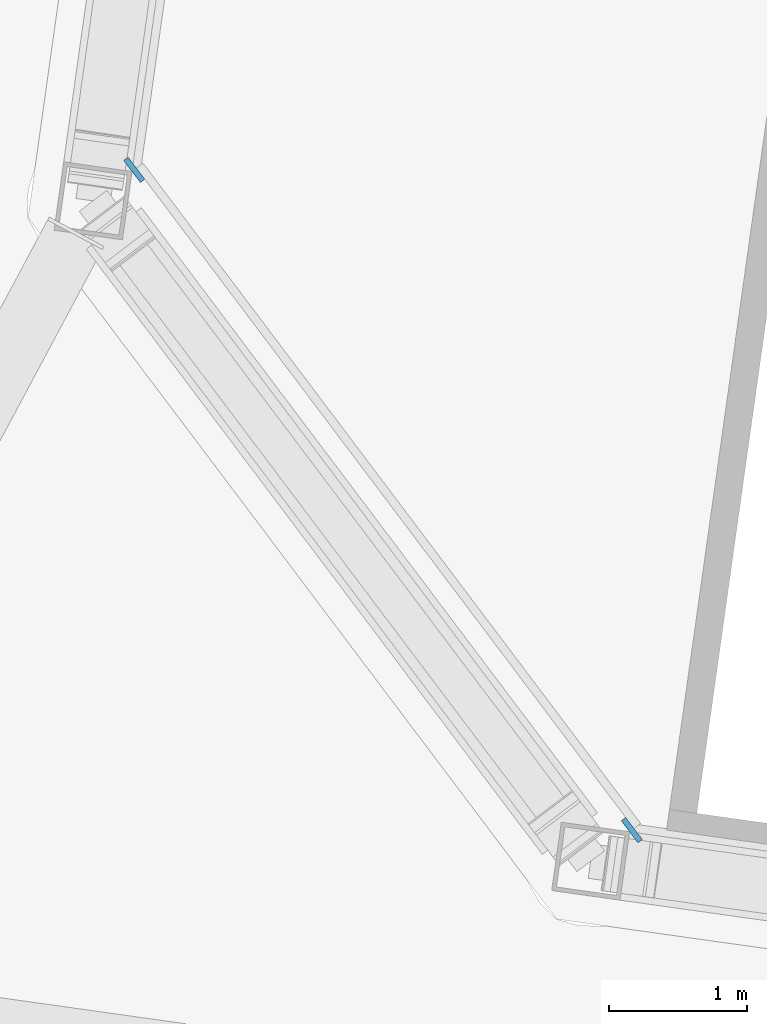
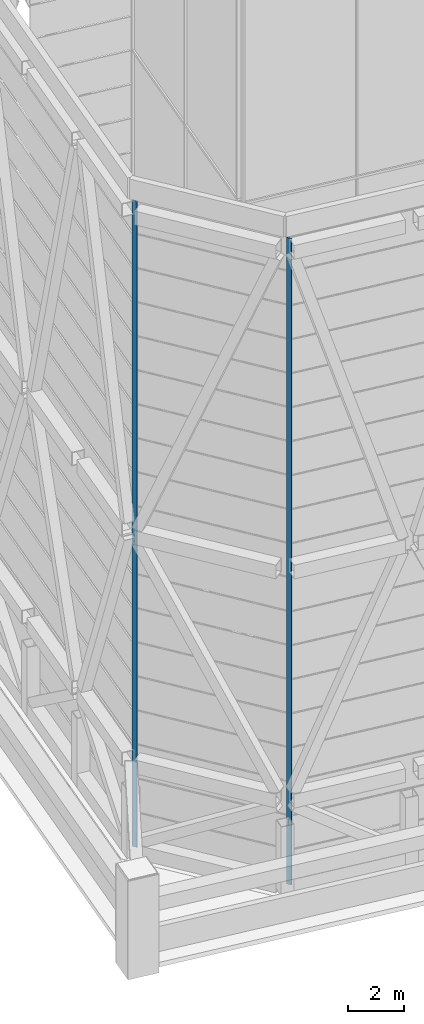
# One storey, part 22 of 45: 2 discrete accessories.
"""IFC4 building model written with IfcOpenShell, lengths in metres."""

from ifc_helpers import new_model, si_unit, direction, frame, origin, origin_2d, place, context, subcontext, project, spatial, rectangle, extrude, material, layer, layer_set, type_object, element, save


model = new_model("IFC4")

# Units and contexts
model_context = context("Model", 3, precision=1e-05, world=origin(), true_north=direction((0.0, 1.0)))
body_context = subcontext(model_context, "Body", "Model", "MODEL_VIEW")
ifc_project = project(units=[si_unit("LENGTHUNIT", "METRE"), si_unit("AREAUNIT", "SQUARE_METRE"), si_unit("VOLUMEUNIT", "CUBIC_METRE"), si_unit("PLANEANGLEUNIT", "RADIAN"), si_unit("MASSUNIT", "GRAM", prefix="KILO")], contexts=[model_context])

# Site, building, storey
site_placement = place(None, origin())
site = spatial("IfcSite", under=ifc_project, at=site_placement, CompositionType="ELEMENT")
building_placement = place(site_placement, origin())
building = spatial("IfcBuilding", under=site, at=building_placement, Name="Mirante Cascada Hotel Towers", CompositionType="ELEMENT")
storey_placement = place(building_placement, frame((0.0, 0.0, 269.8)))
storey = spatial("IfcBuildingStorey", under=building, at=storey_placement, Name="Roof garden", CompositionType="ELEMENT", Elevation=269.8)

# Discrete accessories
ifc_material = material(Name="Stainless steel AISI 316", Category="steel")
ifc_layer = layer(ifc_material, 0.04)
ifc_layer_set = layer_set([ifc_layer], Name="Support bracket 200x40")
discrete_accessory_type = type_object("IfcDiscreteAccessoryType", Name="Support bracket 200x40", PredefinedType="BRACKET", material=ifc_layer_set)
for number, where, z_axis, x_axis, name in (
    (1, (-57.9854, -12.2544, 0.05), (0.0, 0.0, 1.0), (0.601815, -0.7986355, 0.0), "Louvre support bracket T1"),
    (2, (-54.3798, -17.0392, 0.05), (0.0, 0.0, 1.0), (0.601815, -0.7986355, 0.0), "Louvre support bracket T1"),
):
    element("IfcDiscreteAccessory", number, at=place(storey_placement, frame(where, z_axis=z_axis, x_axis=x_axis)), inside=storey, type_object=discrete_accessory_type, Name=name, PredefinedType="BRACKET", context=body_context, shape_type="SweptSolid", body=[
        extrude(rectangle(XDim=0.2, YDim=0.04, at=origin_2d()), origin(), (0.0, 0.0, 1.0), 28.2),
    ])

save(model, "model.ifc")
